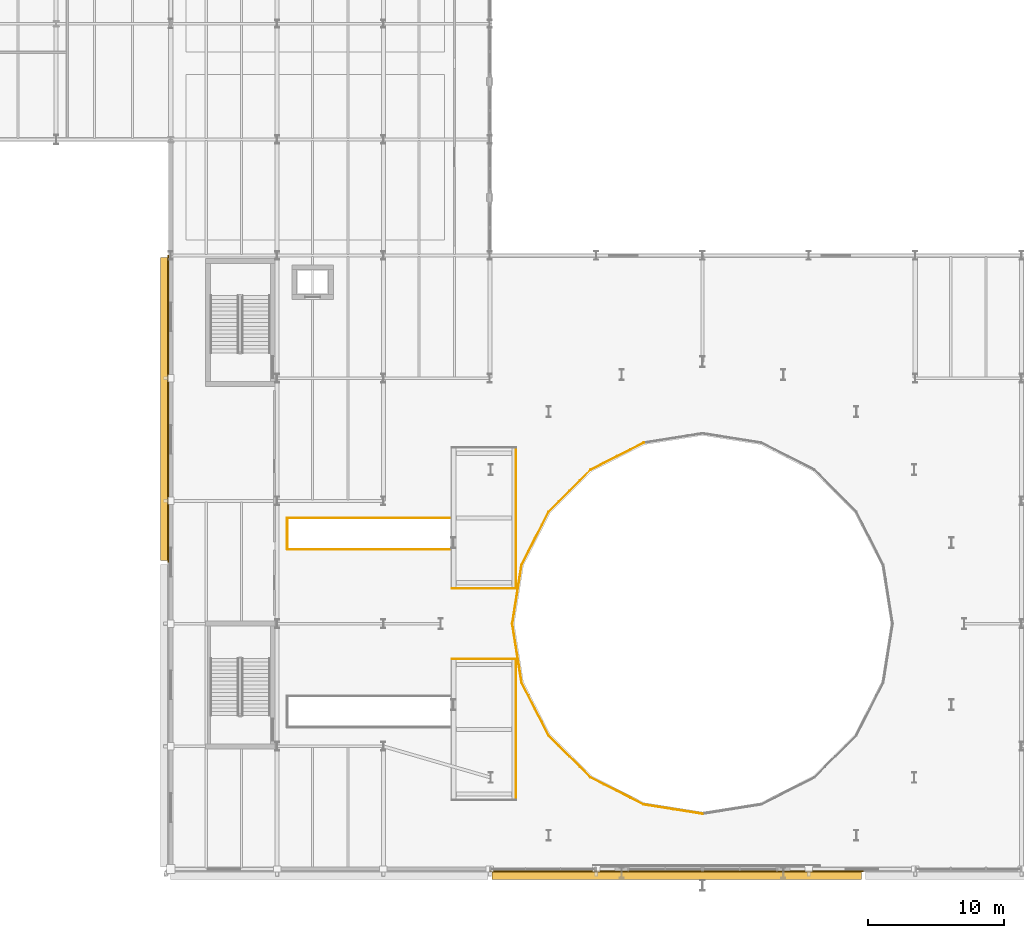
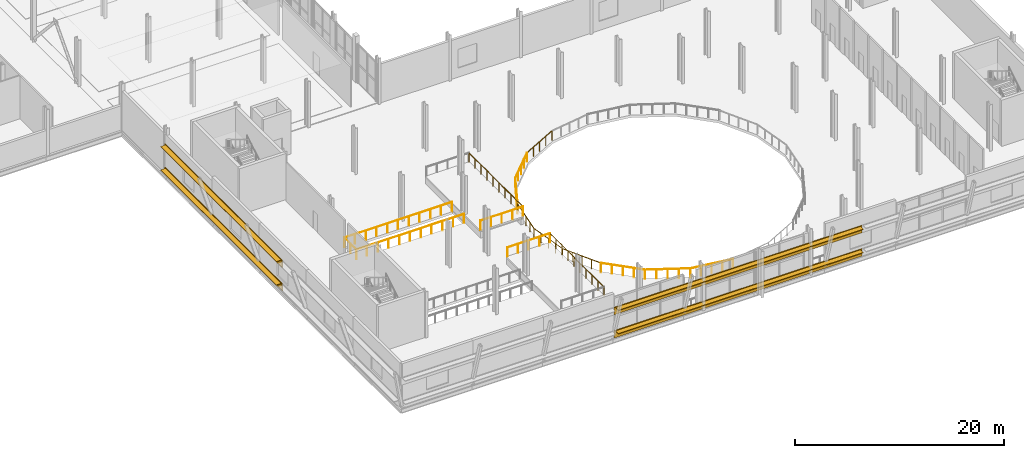
# One storey, part 63 of 78: 16 railings, 4 coverings, 4 shading devices.
"""IFC4 building model written with IfcOpenShell, lengths in metres."""

from ifc_helpers import new_model, si_unit, direction, frame, origin, origin_2d, place, context, subcontext, project, spatial, rectangle, circle, extrude, material, layer, layer_set, type_object, element, save


model = new_model("IFC4")

# Units and contexts
model_context = context("Model", 3, precision=1e-05, world=origin(), true_north=direction((0.0, 1.0)))
body_context = subcontext(model_context, "Body", "Model", "MODEL_VIEW")
ifc_project = project(units=[si_unit("LENGTHUNIT", "METRE"), si_unit("AREAUNIT", "SQUARE_METRE"), si_unit("VOLUMEUNIT", "CUBIC_METRE"), si_unit("PLANEANGLEUNIT", "RADIAN"), si_unit("MASSUNIT", "GRAM", prefix="KILO")], contexts=[model_context])

# Site, building, storey
site_placement = place(None, origin())
site = spatial("IfcSite", under=ifc_project, at=site_placement, CompositionType="ELEMENT")
building_placement = place(site_placement, origin())
building = spatial("IfcBuilding", under=site, at=building_placement, Name="Sefraquen Railside Congress Hotel", CompositionType="ELEMENT")
storey_placement = place(building_placement, frame((0.0, 0.0, 6.0)))
storey = spatial("IfcBuildingStorey", under=building, at=storey_placement, Name="L01", CompositionType="ELEMENT", Elevation=6.0)

# Coverings
ifc_material_1 = material(Name="Patinated architectural bronze", Category="metal")
ifc_layer_1 = layer(ifc_material_1, 0.080078125)
ifc_layer_set_1 = layer_set([ifc_layer_1], Name="Patinated architectural bronze")
covering_type = type_object("IfcCoveringType", Name="TCV-CLAD-01", PredefinedType="CLADDING", material=ifc_layer_set_1)
covering_1_placement = place(storey_placement, frame((62.300048828125, 8.830078125, -0.10498046875), z_axis=(0.0, 0.0, 1.0), x_axis=(1.0, 0.0, 0.0)))
element("IfcCovering", 1, at=covering_1_placement, inside=storey, type_object=covering_type, Name="Congress horizontal bronze cladding band L01-S2", PredefinedType="CLADDING", context=body_context, shape_type="SweptSolid", body=[
    extrude(rectangle(XDim=27.39990234375, YDim=0.080078125, at=origin_2d()), origin(), (0.0, 0.0, 1.0), 0.85009765625),
])
covering_2_placement = place(storey_placement, frame((25.030029296875, 42.75, -0.10498046875), z_axis=(0.0, 0.0, 1.0), x_axis=(1.0, 0.0, 0.0)))
element("IfcCovering", 2, at=covering_2_placement, inside=storey, type_object=covering_type, Name="Congress horizontal bronze cladding band L01-W2", PredefinedType="CLADDING", context=body_context, shape_type="SweptSolid", body=[
    extrude(rectangle(XDim=0.080078125, YDim=22.5, at=origin_2d()), origin(), (0.0, 0.0, 1.0), 0.85009765625),
])
covering_3_placement = place(storey_placement, frame((62.300048828125, 8.830078125, 2.625), z_axis=(0.0, 0.0, 1.0), x_axis=(1.0, 0.0, 0.0)))
element("IfcCovering", 3, at=covering_3_placement, inside=storey, type_object=covering_type, Name="Congress horizontal bronze cladding band L01-S2-B", PredefinedType="CLADDING", context=body_context, shape_type="SweptSolid", body=[
    extrude(rectangle(XDim=27.39990234375, YDim=0.080078125, at=origin_2d()), origin(), (0.0, 0.0, 1.0), 0.85009765625),
])
covering_4_placement = place(storey_placement, frame((25.030029296875, 42.75, 2.625), z_axis=(0.0, 0.0, 1.0), x_axis=(1.0, 0.0, 0.0)))
element("IfcCovering", 4, at=covering_4_placement, inside=storey, type_object=covering_type, Name="Congress horizontal bronze cladding band L01-W2-B", PredefinedType="CLADDING", context=body_context, shape_type="SweptSolid", body=[
    extrude(rectangle(XDim=0.080078125, YDim=22.5, at=origin_2d()), origin(), (0.0, 0.0, 1.0), 0.85009765625),
])

# Railings
ifc_material_2 = material(Name="Patinated wrought architectural bronze", Category="metal")
railing_type = type_object("IfcRailingType", Name="TRL-BAL-110", PredefinedType="BALUSTRADE", material=ifc_material_2)
railing_1_placement = place(storey_placement, frame((59.88916015625, 40.26708984375, 0.0)))
element("IfcRailing", 5, at=railing_1_placement, inside=storey, type_object=railing_type, Name="Congress Hall L01 balcony bowl balustrade", PredefinedType="BALUSTRADE", context=body_context, shape_type="SweptSolid", body=[
    extrude(circle(Radius=0.02392578125, at=origin_2d()), frame((0.0, 0.0, 1.09619140625), z_axis=(-0.891022846877, -0.453958463235, 0.0), x_axis=(0.453958463235, -0.891022846877, 0.0)), (0.0, 0.0, 1.0), 4.3642578125),
    extrude(circle(Radius=0.02099609375, at=origin_2d()), origin(), (0.0, 0.0, 1.0), 1.072021484375),
    extrude(circle(Radius=0.02099609375, at=origin_2d()), frame((-0.97216796875, -0.495361328125, 0.0)), (0.0, 0.0, 1.0), 1.072021484375),
    extrude(circle(Radius=0.02099609375, at=origin_2d()), frame((-1.9443359375, -0.99072265625, 0.0)), (0.0, 0.0, 1.0), 1.072021484375),
    extrude(circle(Radius=0.02099609375, at=origin_2d()), frame((-2.91650390625, -1.48583984375, 0.0)), (0.0, 0.0, 1.0), 1.072021484375),
    extrude(circle(Radius=0.02099609375, at=origin_2d()), frame((-3.888671875, -1.981201171875, 0.0)), (0.0, 0.0, 1.0), 1.072021484375),
])
railing_2_placement = place(storey_placement, frame((56.00048828125, 38.285888671875, 0.0)))
element("IfcRailing", 6, at=railing_2_placement, inside=storey, type_object=railing_type, Name="Congress Hall L01 balcony bowl balustrade", PredefinedType="BALUSTRADE", context=body_context, shape_type="SweptSolid", body=[
    extrude(circle(Radius=0.02392578125, at=origin_2d()), frame((0.0, 0.0, 1.09619140625), z_axis=(-0.707106781187, -0.707106781187, 0.0), x_axis=(0.707106781187, -0.707106781187, 0.0)), (0.0, 0.0, 1.0), 4.364501953125),
    extrude(circle(Radius=0.02099609375, at=origin_2d()), origin(), (0.0, 0.0, 1.0), 1.072021484375),
    extrude(circle(Radius=0.02099609375, at=origin_2d()), frame((-0.771484375, -0.771484375, 0.0)), (0.0, 0.0, 1.0), 1.072021484375),
    extrude(circle(Radius=0.02099609375, at=origin_2d()), frame((-1.54296875, -1.54296875, 0.0)), (0.0, 0.0, 1.0), 1.072021484375),
    extrude(circle(Radius=0.02099609375, at=origin_2d()), frame((-2.314697265625, -2.314697265625, 0.0)), (0.0, 0.0, 1.0), 1.072021484375),
    extrude(circle(Radius=0.02099609375, at=origin_2d()), frame((-3.086181640625, -3.086181640625, 0.0)), (0.0, 0.0, 1.0), 1.072021484375),
])
railing_3_placement = place(storey_placement, frame((52.914306640625, 35.19970703125, 0.0)))
element("IfcRailing", 7, at=railing_3_placement, inside=storey, type_object=railing_type, Name="Congress Hall L01 balcony bowl balustrade", PredefinedType="BALUSTRADE", context=body_context, shape_type="SweptSolid", body=[
    extrude(circle(Radius=0.02392578125, at=origin_2d()), frame((0.0, 0.0, 1.09619140625), z_axis=(-0.453980246675, -0.891011748311, 0.0), x_axis=(0.891011748311, -0.453980246675, 0.0)), (0.0, 0.0, 1.0), 4.364501953125),
    extrude(circle(Radius=0.02099609375, at=origin_2d()), origin(), (0.0, 0.0, 1.0), 1.072021484375),
    extrude(circle(Radius=0.02099609375, at=origin_2d()), frame((-0.495361328125, -0.97216796875, 0.0)), (0.0, 0.0, 1.0), 1.072021484375),
    extrude(circle(Radius=0.02099609375, at=origin_2d()), frame((-0.99072265625, -1.9443359375, 0.0)), (0.0, 0.0, 1.0), 1.072021484375),
    extrude(circle(Radius=0.02099609375, at=origin_2d()), frame((-1.486083984375, -2.916748046875, 0.0)), (0.0, 0.0, 1.0), 1.072021484375),
    extrude(circle(Radius=0.02099609375, at=origin_2d()), frame((-1.9814453125, -3.888916015625, 0.0)), (0.0, 0.0, 1.0), 1.072021484375),
])
railing_4_placement = place(storey_placement, frame((50.932861328125, 31.310791015625, 0.0)))
element("IfcRailing", 8, at=railing_4_placement, inside=storey, type_object=railing_type, Name="Congress Hall L01 balcony bowl balustrade", PredefinedType="BALUSTRADE", context=body_context, shape_type="SweptSolid", body=[
    extrude(circle(Radius=0.02392578125, at=origin_2d()), frame((0.0, 0.0, 1.09619140625), z_axis=(-0.156456616349, -0.987684831918, 0.0), x_axis=(0.987684831918, -0.156456616349, 0.0)), (0.0, 0.0, 1.0), 4.364501953125),
    extrude(circle(Radius=0.02099609375, at=origin_2d()), origin(), (0.0, 0.0, 1.0), 1.072021484375),
    extrude(circle(Radius=0.02099609375, at=origin_2d()), frame((-0.170654296875, -1.07763671875, 0.0)), (0.0, 0.0, 1.0), 1.072021484375),
    extrude(circle(Radius=0.02099609375, at=origin_2d()), frame((-0.34130859375, -2.1552734375, 0.0)), (0.0, 0.0, 1.0), 1.072021484375),
    extrude(circle(Radius=0.02099609375, at=origin_2d()), frame((-0.51220703125, -3.233154296875, 0.0)), (0.0, 0.0, 1.0), 1.072021484375),
    extrude(circle(Radius=0.02099609375, at=origin_2d()), frame((-0.682861328125, -4.310791015625, 0.0)), (0.0, 0.0, 1.0), 1.072021484375),
])
railing_5_placement = place(storey_placement, frame((50.25, 27.0, 0.0)))
element("IfcRailing", 9, at=railing_5_placement, inside=storey, type_object=railing_type, Name="Congress Hall L01 balcony bowl balustrade", PredefinedType="BALUSTRADE", context=body_context, shape_type="SweptSolid", body=[
    extrude(circle(Radius=0.02392578125, at=origin_2d()), frame((0.0, 0.0, 1.09619140625), z_axis=(0.156456616349, -0.987684831918, 0.0), x_axis=(0.987684831918, 0.156456616349, 0.0)), (0.0, 0.0, 1.0), 4.364501953125),
    extrude(circle(Radius=0.02099609375, at=origin_2d()), origin(), (0.0, 0.0, 1.0), 1.072021484375),
    extrude(circle(Radius=0.02099609375, at=origin_2d()), frame((0.170654296875, -1.07763671875, 0.0)), (0.0, 0.0, 1.0), 1.072021484375),
    extrude(circle(Radius=0.02099609375, at=origin_2d()), frame((0.34130859375, -2.1552734375, 0.0)), (0.0, 0.0, 1.0), 1.072021484375),
    extrude(circle(Radius=0.02099609375, at=origin_2d()), frame((0.51220703125, -3.233154296875, 0.0)), (0.0, 0.0, 1.0), 1.072021484375),
    extrude(circle(Radius=0.02099609375, at=origin_2d()), frame((0.682861328125, -4.310791015625, 0.0)), (0.0, 0.0, 1.0), 1.072021484375),
])
railing_6_placement = place(storey_placement, frame((50.932861328125, 22.689208984375, 0.0)))
element("IfcRailing", 10, at=railing_6_placement, inside=storey, type_object=railing_type, Name="Congress Hall L01 balcony bowl balustrade", PredefinedType="BALUSTRADE", context=body_context, shape_type="SweptSolid", body=[
    extrude(circle(Radius=0.02392578125, at=origin_2d()), frame((0.0, 0.0, 1.09619140625), z_axis=(0.453980246675, -0.891011748311, 0.0), x_axis=(0.891011748311, 0.453980246675, 0.0)), (0.0, 0.0, 1.0), 4.364501953125),
    extrude(circle(Radius=0.02099609375, at=origin_2d()), origin(), (0.0, 0.0, 1.0), 1.072021484375),
    extrude(circle(Radius=0.02099609375, at=origin_2d()), frame((0.495361328125, -0.97216796875, 0.0)), (0.0, 0.0, 1.0), 1.072021484375),
    extrude(circle(Radius=0.02099609375, at=origin_2d()), frame((0.99072265625, -1.9443359375, 0.0)), (0.0, 0.0, 1.0), 1.072021484375),
    extrude(circle(Radius=0.02099609375, at=origin_2d()), frame((1.486083984375, -2.916748046875, 0.0)), (0.0, 0.0, 1.0), 1.072021484375),
    extrude(circle(Radius=0.02099609375, at=origin_2d()), frame((1.9814453125, -3.888916015625, 0.0)), (0.0, 0.0, 1.0), 1.072021484375),
])
railing_7_placement = place(storey_placement, frame((52.914306640625, 18.80029296875, 0.0)))
element("IfcRailing", 11, at=railing_7_placement, inside=storey, type_object=railing_type, Name="Congress Hall L01 balcony bowl balustrade", PredefinedType="BALUSTRADE", context=body_context, shape_type="SweptSolid", body=[
    extrude(circle(Radius=0.02392578125, at=origin_2d()), frame((0.0, 0.0, 1.09619140625), z_axis=(0.707106781187, -0.707106781187, 0.0), x_axis=(0.707106781187, 0.707106781187, 0.0)), (0.0, 0.0, 1.0), 4.364501953125),
    extrude(circle(Radius=0.02099609375, at=origin_2d()), origin(), (0.0, 0.0, 1.0), 1.072021484375),
    extrude(circle(Radius=0.02099609375, at=origin_2d()), frame((0.771484375, -0.771484375, 0.0)), (0.0, 0.0, 1.0), 1.072021484375),
    extrude(circle(Radius=0.02099609375, at=origin_2d()), frame((1.54296875, -1.54296875, 0.0)), (0.0, 0.0, 1.0), 1.072021484375),
    extrude(circle(Radius=0.02099609375, at=origin_2d()), frame((2.314697265625, -2.314697265625, 0.0)), (0.0, 0.0, 1.0), 1.072021484375),
    extrude(circle(Radius=0.02099609375, at=origin_2d()), frame((3.086181640625, -3.086181640625, 0.0)), (0.0, 0.0, 1.0), 1.072021484375),
])
railing_8_placement = place(storey_placement, frame((56.00048828125, 15.714111328125, 0.0)))
element("IfcRailing", 12, at=railing_8_placement, inside=storey, type_object=railing_type, Name="Congress Hall L01 balcony bowl balustrade", PredefinedType="BALUSTRADE", context=body_context, shape_type="SweptSolid", body=[
    extrude(circle(Radius=0.02392578125, at=origin_2d()), frame((0.0, 0.0, 1.09619140625), z_axis=(0.891022846877, -0.453958463235, 0.0), x_axis=(0.453958463235, 0.891022846877, 0.0)), (0.0, 0.0, 1.0), 4.3642578125),
    extrude(circle(Radius=0.02099609375, at=origin_2d()), origin(), (0.0, 0.0, 1.0), 1.072021484375),
    extrude(circle(Radius=0.02099609375, at=origin_2d()), frame((0.97216796875, -0.495361328125, 0.0)), (0.0, 0.0, 1.0), 1.072021484375),
    extrude(circle(Radius=0.02099609375, at=origin_2d()), frame((1.9443359375, -0.99072265625, 0.0)), (0.0, 0.0, 1.0), 1.072021484375),
    extrude(circle(Radius=0.02099609375, at=origin_2d()), frame((2.91650390625, -1.48583984375, 0.0)), (0.0, 0.0, 1.0), 1.072021484375),
    extrude(circle(Radius=0.02099609375, at=origin_2d()), frame((3.888671875, -1.981201171875, 0.0)), (0.0, 0.0, 1.0), 1.072021484375),
])
railing_9_placement = place(storey_placement, frame((59.88916015625, 13.73291015625, 0.0)))
element("IfcRailing", 13, at=railing_9_placement, inside=storey, type_object=railing_type, Name="Congress Hall L01 balcony bowl balustrade", PredefinedType="BALUSTRADE", context=body_context, shape_type="SweptSolid", body=[
    extrude(circle(Radius=0.02392578125, at=origin_2d()), frame((0.0, 0.0, 1.09619140625), z_axis=(0.987684831918, -0.156456616349, 0.0), x_axis=(0.156456616349, 0.987684831918, 0.0)), (0.0, 0.0, 1.0), 4.364501953125),
    extrude(circle(Radius=0.02099609375, at=origin_2d()), origin(), (0.0, 0.0, 1.0), 1.072021484375),
    extrude(circle(Radius=0.02099609375, at=origin_2d()), frame((1.07763671875, -0.170654296875, 0.0)), (0.0, 0.0, 1.0), 1.072021484375),
    extrude(circle(Radius=0.02099609375, at=origin_2d()), frame((2.1552734375, -0.34130859375, 0.0)), (0.0, 0.0, 1.0), 1.072021484375),
    extrude(circle(Radius=0.02099609375, at=origin_2d()), frame((3.233154296875, -0.51220703125, 0.0)), (0.0, 0.0, 1.0), 1.072021484375),
    extrude(circle(Radius=0.02099609375, at=origin_2d()), frame((4.310791015625, -0.682861328125, 0.0)), (0.0, 0.0, 1.0), 1.072021484375),
])
railing_10_placement = place(storey_placement, frame((45.64990234375, 32.449951171875, 0.0)))
element("IfcRailing", 14, at=railing_10_placement, inside=storey, type_object=railing_type, Name="Congress Vomitory 2 well perimeter guard", PredefinedType="BALUSTRADE", context=body_context, shape_type="SweptSolid", body=[
    extrude(circle(Radius=0.02392578125, at=origin_2d()), frame((0.0, 0.0, 1.09619140625), z_axis=(-1.0, 0.0, 0.0), x_axis=(0.0, -1.0, 0.0)), (0.0, 0.0, 1.0), 11.89990234375),
    extrude(circle(Radius=0.02099609375, at=origin_2d()), origin(), (0.0, 0.0, 1.0), 1.072021484375),
    extrude(circle(Radius=0.02099609375, at=origin_2d()), frame((-1.18994140625, 0.0, 0.0)), (0.0, 0.0, 1.0), 1.072021484375),
    extrude(circle(Radius=0.02099609375, at=origin_2d()), frame((-2.3798828125, 0.0, 0.0)), (0.0, 0.0, 1.0), 1.072021484375),
    extrude(circle(Radius=0.02099609375, at=origin_2d()), frame((-3.570068359375, 0.0, 0.0)), (0.0, 0.0, 1.0), 1.072021484375),
    extrude(circle(Radius=0.02099609375, at=origin_2d()), frame((-4.760009765625, 0.0, 0.0)), (0.0, 0.0, 1.0), 1.072021484375),
    extrude(circle(Radius=0.02099609375, at=origin_2d()), frame((-5.949951171875, 0.0, 0.0)), (0.0, 0.0, 1.0), 1.072021484375),
    extrude(circle(Radius=0.02099609375, at=origin_2d()), frame((-7.139892578125, 0.0, 0.0)), (0.0, 0.0, 1.0), 1.072021484375),
    extrude(circle(Radius=0.02099609375, at=origin_2d()), frame((-8.329833984375, 0.0, 0.0)), (0.0, 0.0, 1.0), 1.072021484375),
    extrude(circle(Radius=0.02099609375, at=origin_2d()), frame((-9.52001953125, 0.0, 0.0)), (0.0, 0.0, 1.0), 1.072021484375),
    extrude(circle(Radius=0.02099609375, at=origin_2d()), frame((-10.7099609375, 0.0, 0.0)), (0.0, 0.0, 1.0), 1.072021484375),
    extrude(circle(Radius=0.02099609375, at=origin_2d()), frame((-11.89990234375, 0.0, 0.0)), (0.0, 0.0, 1.0), 1.072021484375),
])
railing_11_placement = place(storey_placement, frame((33.75, 32.449951171875, 0.0)))
element("IfcRailing", 15, at=railing_11_placement, inside=storey, type_object=railing_type, Name="Congress Vomitory 2 well perimeter guard", PredefinedType="BALUSTRADE", context=body_context, shape_type="SweptSolid", body=[
    extrude(circle(Radius=0.02392578125, at=origin_2d()), frame((0.0, 0.0, 1.09619140625), z_axis=(0.0, 1.0, 0.0), x_axis=(-1.0, 0.0, 0.0)), (0.0, 0.0, 1.0), 2.300048828125),
    extrude(circle(Radius=0.02099609375, at=origin_2d()), origin(), (0.0, 0.0, 1.0), 1.072021484375),
    extrude(circle(Radius=0.02099609375, at=origin_2d()), frame((0.0, 1.14990234375, 0.0)), (0.0, 0.0, 1.0), 1.072021484375),
    extrude(circle(Radius=0.02099609375, at=origin_2d()), frame((0.0, 2.300048828125, 0.0)), (0.0, 0.0, 1.0), 1.072021484375),
])
railing_12_placement = place(storey_placement, frame((33.75, 34.75, 0.0)))
element("IfcRailing", 16, at=railing_12_placement, inside=storey, type_object=railing_type, Name="Congress Vomitory 2 well perimeter guard", PredefinedType="BALUSTRADE", context=body_context, shape_type="SweptSolid", body=[
    extrude(circle(Radius=0.02392578125, at=origin_2d()), frame((0.0, 0.0, 1.09619140625), z_axis=(1.0, 0.0, 0.0), x_axis=(0.0, 1.0, 0.0)), (0.0, 0.0, 1.0), 11.89990234375),
    extrude(circle(Radius=0.02099609375, at=origin_2d()), origin(), (0.0, 0.0, 1.0), 1.072021484375),
    extrude(circle(Radius=0.02099609375, at=origin_2d()), frame((1.18994140625, 0.0, 0.0)), (0.0, 0.0, 1.0), 1.072021484375),
    extrude(circle(Radius=0.02099609375, at=origin_2d()), frame((2.3798828125, 0.0, 0.0)), (0.0, 0.0, 1.0), 1.072021484375),
    extrude(circle(Radius=0.02099609375, at=origin_2d()), frame((3.570068359375, 0.0, 0.0)), (0.0, 0.0, 1.0), 1.072021484375),
    extrude(circle(Radius=0.02099609375, at=origin_2d()), frame((4.760009765625, 0.0, 0.0)), (0.0, 0.0, 1.0), 1.072021484375),
    extrude(circle(Radius=0.02099609375, at=origin_2d()), frame((5.949951171875, 0.0, 0.0)), (0.0, 0.0, 1.0), 1.072021484375),
    extrude(circle(Radius=0.02099609375, at=origin_2d()), frame((7.139892578125, 0.0, 0.0)), (0.0, 0.0, 1.0), 1.072021484375),
    extrude(circle(Radius=0.02099609375, at=origin_2d()), frame((8.329833984375, 0.0, 0.0)), (0.0, 0.0, 1.0), 1.072021484375),
    extrude(circle(Radius=0.02099609375, at=origin_2d()), frame((9.52001953125, 0.0, 0.0)), (0.0, 0.0, 1.0), 1.072021484375),
    extrude(circle(Radius=0.02099609375, at=origin_2d()), frame((10.7099609375, 0.0, 0.0)), (0.0, 0.0, 1.0), 1.072021484375),
    extrude(circle(Radius=0.02099609375, at=origin_2d()), frame((11.89990234375, 0.0, 0.0)), (0.0, 0.0, 1.0), 1.072021484375),
])
railing_13_placement = place(storey_placement, frame((50.52001953125, 14.080078125, 0.89990234375)))
element("IfcRailing", 17, at=railing_13_placement, inside=storey, type_object=railing_type, Name="Congress balcony tier 1 front guard", PredefinedType="BALUSTRADE", context=body_context, shape_type="SweptSolid", body=[
    extrude(circle(Radius=0.02392578125, at=origin_2d()), frame((0.0, 0.0, 1.09619140625), z_axis=(0.0, 1.0, 0.0), x_axis=(-1.0, 0.0, 0.0)), (0.0, 0.0, 1.0), 10.33984375),
    extrude(circle(Radius=0.02099609375, at=origin_2d()), origin(), (0.0, 0.0, 1.0), 1.072021484375),
    extrude(circle(Radius=0.02099609375, at=origin_2d()), frame((0.0, 1.14892578125, 0.0)), (0.0, 0.0, 1.0), 1.072021484375),
    extrude(circle(Radius=0.02099609375, at=origin_2d()), frame((0.0, 2.2978515625, 0.0)), (0.0, 0.0, 1.0), 1.072021484375),
    extrude(circle(Radius=0.02099609375, at=origin_2d()), frame((0.0, 3.446533203125, 0.0)), (0.0, 0.0, 1.0), 1.072021484375),
    extrude(circle(Radius=0.02099609375, at=origin_2d()), frame((0.0, 4.595458984375, 0.0)), (0.0, 0.0, 1.0), 1.072021484375),
    extrude(circle(Radius=0.02099609375, at=origin_2d()), frame((0.0, 5.744384765625, 0.0)), (0.0, 0.0, 1.0), 1.072021484375),
    extrude(circle(Radius=0.02099609375, at=origin_2d()), frame((0.0, 6.893310546875, 0.0)), (0.0, 0.0, 1.0), 1.072021484375),
    extrude(circle(Radius=0.02099609375, at=origin_2d()), frame((0.0, 8.0419921875, 0.0)), (0.0, 0.0, 1.0), 1.072021484375),
    extrude(circle(Radius=0.02099609375, at=origin_2d()), frame((0.0, 9.19091796875, 0.0)), (0.0, 0.0, 1.0), 1.072021484375),
    extrude(circle(Radius=0.02099609375, at=origin_2d()), frame((0.0, 10.33984375, 0.0)), (0.0, 0.0, 1.0), 1.072021484375),
])
railing_14_placement = place(storey_placement, frame((50.52001953125, 24.419921875, 0.89990234375)))
element("IfcRailing", 18, at=railing_14_placement, inside=storey, type_object=railing_type, Name="Congress balcony tier 1 front guard", PredefinedType="BALUSTRADE", context=body_context, shape_type="SweptSolid", body=[
    extrude(circle(Radius=0.02392578125, at=origin_2d()), frame((0.0, 0.0, 1.09619140625), z_axis=(-1.0, 0.0, 0.0), x_axis=(0.0, -1.0, 0.0)), (0.0, 0.0, 1.0), 4.699951171875),
    extrude(circle(Radius=0.02099609375, at=origin_2d()), origin(), (0.0, 0.0, 1.0), 1.072021484375),
    extrude(circle(Radius=0.02099609375, at=origin_2d()), frame((-1.175048828125, 0.0, 0.0)), (0.0, 0.0, 1.0), 1.072021484375),
    extrude(circle(Radius=0.02099609375, at=origin_2d()), frame((-2.35009765625, 0.0, 0.0)), (0.0, 0.0, 1.0), 1.072021484375),
    extrude(circle(Radius=0.02099609375, at=origin_2d()), frame((-3.52490234375, 0.0, 0.0)), (0.0, 0.0, 1.0), 1.072021484375),
    extrude(circle(Radius=0.02099609375, at=origin_2d()), frame((-4.699951171875, 0.0, 0.0)), (0.0, 0.0, 1.0), 1.072021484375),
])
railing_15_placement = place(storey_placement, frame((45.820068359375, 29.580078125, 0.89990234375)))
element("IfcRailing", 19, at=railing_15_placement, inside=storey, type_object=railing_type, Name="Congress balcony tier 2 front guard", PredefinedType="BALUSTRADE", context=body_context, shape_type="SweptSolid", body=[
    extrude(circle(Radius=0.02392578125, at=origin_2d()), frame((0.0, 0.0, 1.09619140625), z_axis=(1.0, 0.0, 0.0), x_axis=(0.0, 1.0, 0.0)), (0.0, 0.0, 1.0), 4.699951171875),
    extrude(circle(Radius=0.02099609375, at=origin_2d()), origin(), (0.0, 0.0, 1.0), 1.072021484375),
    extrude(circle(Radius=0.02099609375, at=origin_2d()), frame((1.175048828125, 0.0, 0.0)), (0.0, 0.0, 1.0), 1.072021484375),
    extrude(circle(Radius=0.02099609375, at=origin_2d()), frame((2.35009765625, 0.0, 0.0)), (0.0, 0.0, 1.0), 1.072021484375),
    extrude(circle(Radius=0.02099609375, at=origin_2d()), frame((3.52490234375, 0.0, 0.0)), (0.0, 0.0, 1.0), 1.072021484375),
    extrude(circle(Radius=0.02099609375, at=origin_2d()), frame((4.699951171875, 0.0, 0.0)), (0.0, 0.0, 1.0), 1.072021484375),
])
railing_16_placement = place(storey_placement, frame((50.52001953125, 29.580078125, 0.89990234375)))
element("IfcRailing", 20, at=railing_16_placement, inside=storey, type_object=railing_type, Name="Congress balcony tier 2 front guard", PredefinedType="BALUSTRADE", context=body_context, shape_type="SweptSolid", body=[
    extrude(circle(Radius=0.02392578125, at=origin_2d()), frame((0.0, 0.0, 1.09619140625), z_axis=(0.0, 1.0, 0.0), x_axis=(-1.0, 0.0, 0.0)), (0.0, 0.0, 1.0), 10.33984375),
    extrude(circle(Radius=0.02099609375, at=origin_2d()), origin(), (0.0, 0.0, 1.0), 1.072021484375),
    extrude(circle(Radius=0.02099609375, at=origin_2d()), frame((0.0, 1.14892578125, 0.0)), (0.0, 0.0, 1.0), 1.072021484375),
    extrude(circle(Radius=0.02099609375, at=origin_2d()), frame((0.0, 2.2978515625, 0.0)), (0.0, 0.0, 1.0), 1.072021484375),
    extrude(circle(Radius=0.02099609375, at=origin_2d()), frame((0.0, 3.446533203125, 0.0)), (0.0, 0.0, 1.0), 1.072021484375),
    extrude(circle(Radius=0.02099609375, at=origin_2d()), frame((0.0, 4.595458984375, 0.0)), (0.0, 0.0, 1.0), 1.072021484375),
    extrude(circle(Radius=0.02099609375, at=origin_2d()), frame((0.0, 5.744384765625, 0.0)), (0.0, 0.0, 1.0), 1.072021484375),
    extrude(circle(Radius=0.02099609375, at=origin_2d()), frame((0.0, 6.893310546875, 0.0)), (0.0, 0.0, 1.0), 1.072021484375),
    extrude(circle(Radius=0.02099609375, at=origin_2d()), frame((0.0, 8.0419921875, 0.0)), (0.0, 0.0, 1.0), 1.072021484375),
    extrude(circle(Radius=0.02099609375, at=origin_2d()), frame((0.0, 9.19091796875, 0.0)), (0.0, 0.0, 1.0), 1.072021484375),
    extrude(circle(Radius=0.02099609375, at=origin_2d()), frame((0.0, 10.33984375, 0.0)), (0.0, 0.0, 1.0), 1.072021484375),
])

# Shading devices
ifc_layer_2 = layer(ifc_material_1, 0.06005859375)
ifc_layer_set_2 = layer_set([ifc_layer_2], Name="Patinated architectural bronze")
shading_device_type = type_object("IfcShadingDeviceType", Name="TSH-BS-01", PredefinedType="USERDEFINED", material=ifc_layer_set_2)
shading_device_1_placement = place(storey_placement, frame((62.300048828125, 8.530029296875, 0.639892578125), z_axis=(0.0, 0.0, 1.0), x_axis=(1.0, 0.0, 0.0)))
element("IfcShadingDevice", 21, at=shading_device_1_placement, inside=storey, type_object=shading_device_type, Name="Congress horizontal brise-soleil L01-S2", ObjectType="BRISE SOLEIL", PredefinedType="USERDEFINED", context=body_context, shape_type="SweptSolid", body=[
    extrude(rectangle(XDim=27.10009765625, YDim=0.550048828125, at=origin_2d()), origin(), (0.0, 0.0, 1.0), 0.06005859375),
])
shading_device_2_placement = place(storey_placement, frame((24.72998046875, 42.75, 0.639892578125), z_axis=(0.0, 0.0, 1.0), x_axis=(1.0, 0.0, 0.0)))
element("IfcShadingDevice", 22, at=shading_device_2_placement, inside=storey, type_object=shading_device_type, Name="Congress west sun-shading louvre L01-W2", ObjectType="BRISE SOLEIL", PredefinedType="USERDEFINED", context=body_context, shape_type="SweptSolid", body=[
    extrude(rectangle(XDim=0.550048828125, YDim=22.199951171875, at=origin_2d()), origin(), (0.0, 0.0, 1.0), 0.06005859375),
])
shading_device_3_placement = place(storey_placement, frame((62.300048828125, 8.530029296875, 3.369873046875), z_axis=(0.0, 0.0, 1.0), x_axis=(1.0, 0.0, 0.0)))
element("IfcShadingDevice", 23, at=shading_device_3_placement, inside=storey, type_object=shading_device_type, Name="Congress horizontal brise-soleil L01-S2-B", ObjectType="BRISE SOLEIL", PredefinedType="USERDEFINED", context=body_context, shape_type="SweptSolid", body=[
    extrude(rectangle(XDim=27.10009765625, YDim=0.550048828125, at=origin_2d()), origin(), (0.0, 0.0, 1.0), 0.06005859375),
])
shading_device_4_placement = place(storey_placement, frame((24.72998046875, 42.75, 3.369873046875), z_axis=(0.0, 0.0, 1.0), x_axis=(1.0, 0.0, 0.0)))
element("IfcShadingDevice", 24, at=shading_device_4_placement, inside=storey, type_object=shading_device_type, Name="Congress west sun-shading louvre L01-W2-B", ObjectType="BRISE SOLEIL", PredefinedType="USERDEFINED", context=body_context, shape_type="SweptSolid", body=[
    extrude(rectangle(XDim=0.550048828125, YDim=22.199951171875, at=origin_2d()), origin(), (0.0, 0.0, 1.0), 0.06005859375),
])

save(model, "model.ifc")
